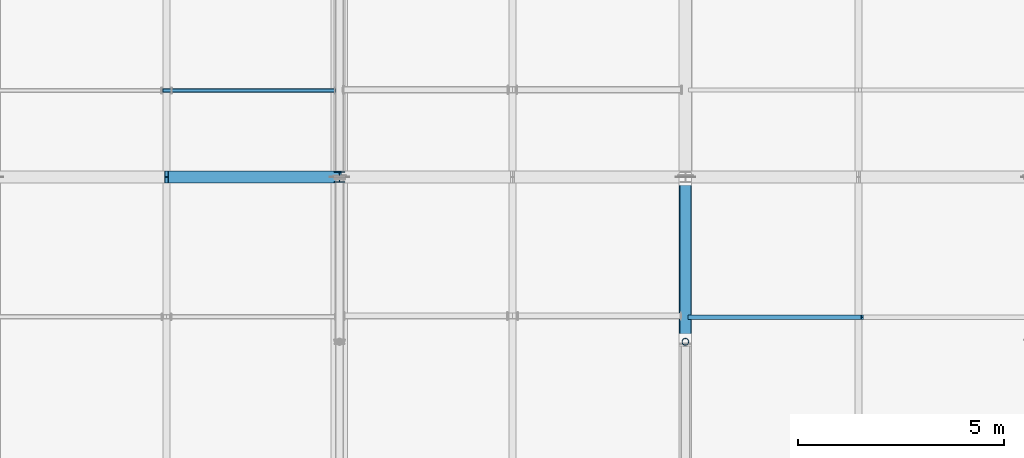
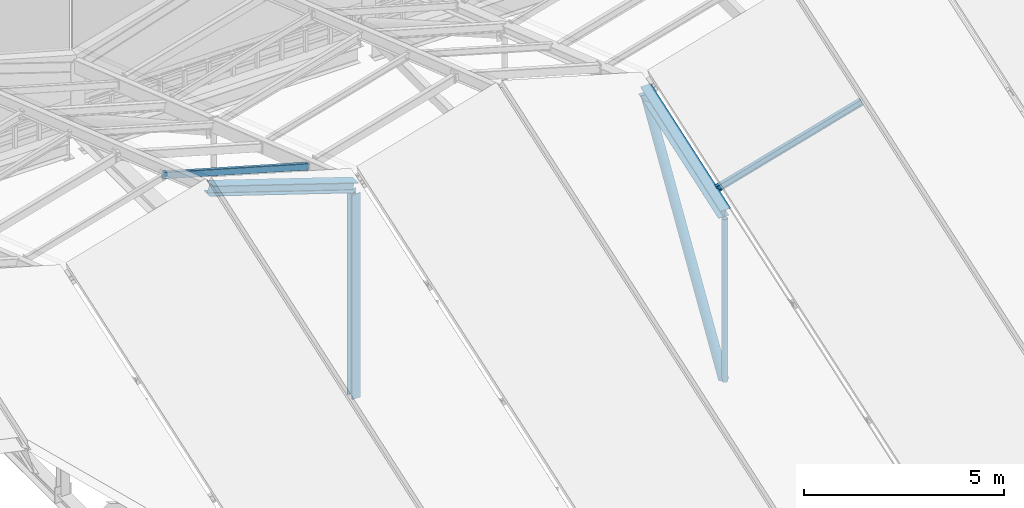
# One storey, part 17 of 77: 7 members.
"""IFC4 building model written with IfcOpenShell, lengths in metres."""

import ifcopenshell
import ifcopenshell.guid

model = None  # the IFC model being written
_history = None  # IfcOwnerHistory: only IFC2X3 demands one
_inside = {}  # id of a spatial element -> (the spatial element, [elements in it])
_under = {}  # id of a project, library or spatial element -> (it, [spatial elements below it])
_declared = {}  # id of a project -> (the project, [libraries it declares])
_typed = {}  # id of a type object -> (the type object, [elements of that type])
_made_of = {}  # id of a material, layer set ... -> (it, [elements and type objects made of it])


def new_model(schema):
    """Start an empty IFC model of exactly this schema.

    Asked for "IFC4X3", IfcOpenShell would pick the latest addendum, in which some entities
    have other attributes; the version numbers below select the first issue.
    IFC2X3 requires an IfcOwnerHistory on every rooted entity: one is made here for all.
    """
    global model, _history
    if schema == "IFC4X3":
        model = ifcopenshell.file(schema_version=(4, 3, 0, 0))
    else:
        model = ifcopenshell.file(schema=schema)
    _inside.clear()
    _under.clear()
    _declared.clear()
    _typed.clear()
    _made_of.clear()
    _history = None
    if model.schema == "IFC2X3":
        org = make("IfcOrganization", Name="unknown")
        user = make(
            "IfcPersonAndOrganization",
            ThePerson=make("IfcPerson", FamilyName="unknown"),
            TheOrganization=org,
        )
        app = make(
            "IfcApplication",
            ApplicationDeveloper=org,
            Version="unknown",
            ApplicationFullName="unknown",
            ApplicationIdentifier="unknown",
        )
        _history = make(
            "IfcOwnerHistory",
            OwningUser=user,
            OwningApplication=app,
            ChangeAction="ADDED",
            CreationDate=0,
        )
    return model


def make(cls, **values):
    """One entity of the class cls with the attributes given. An attribute that is None is left unset."""
    return model.create_entity(
        cls, **{name: value for name, value in values.items() if value is not None}
    )


def rooted(cls, **values):
    """An entity with a GlobalId (a new one), such as an element, a storey or a relation."""
    return make(cls, GlobalId=ifcopenshell.guid.new(), OwnerHistory=_history, **values)


def si_unit(unit_type, name, prefix=None):
    """IfcSIUnit, for example si_unit("LENGTHUNIT", "METRE", prefix="MILLI")."""
    return make("IfcSIUnit", UnitType=unit_type, Prefix=prefix, Name=name)


def assignment(units):
    """IfcUnitAssignment: the units of a project."""
    return None if units is None else make("IfcUnitAssignment", Units=units)


def point(xyz):
    """IfcCartesianPoint."""
    return None if xyz is None else make("IfcCartesianPoint", Coordinates=xyz)


def direction(xyz):
    """IfcDirection."""
    return None if xyz is None else make("IfcDirection", DirectionRatios=xyz)


def frame(location, z_axis=None, x_axis=None):
    """IfcAxis2Placement3D, a coordinate frame: its origin and axes. An axis left out is left unset."""
    return make(
        "IfcAxis2Placement3D",
        Location=point(location),
        Axis=direction(z_axis),
        RefDirection=direction(x_axis),
    )


def frame_2d(location, x_axis=None):
    """IfcAxis2Placement2D, a coordinate frame in the plane: its origin and x axis."""
    return make(
        "IfcAxis2Placement2D", Location=point(location), RefDirection=direction(x_axis)
    )


def origin():
    """The frame at (0, 0, 0) with its axes left unset."""
    return frame((0.0, 0.0, 0.0))


def origin_2d():
    """The frame at (0, 0) in the plane with its x axis left unset."""
    return frame_2d((0.0, 0.0))


def place(relative_to, where):
    """IfcLocalPlacement: puts the frame where relative to a parent placement (None: the world)."""
    return make(
        "IfcLocalPlacement", PlacementRelTo=relative_to, RelativePlacement=where
    )


def context(
    kind, dimensions, precision=None, world=None, true_north=None, identifier=None
):
    """IfcGeometricRepresentationContext, for example the 3D "Model" context."""
    return make(
        "IfcGeometricRepresentationContext",
        ContextIdentifier=identifier,
        ContextType=kind,
        CoordinateSpaceDimension=dimensions,
        Precision=precision,
        WorldCoordinateSystem=world,
        TrueNorth=true_north,
    )


def subcontext(parent, identifier, kind, view, scale=None):
    """IfcGeometricRepresentationSubContext, for example "Body" below "Model"."""
    return make(
        "IfcGeometricRepresentationSubContext",
        ContextIdentifier=identifier,
        ContextType=kind,
        ParentContext=parent,
        TargetScale=scale,
        TargetView=view,
    )


def project(units=None, contexts=None):
    """IfcProject with its units and contexts."""
    return rooted(
        "IfcProject",
        Name="project",
        RepresentationContexts=contexts,
        UnitsInContext=assignment(units),
    )


def spatial(cls, under=None, at=None, **own):
    """A site, building, storey or space (cls), placed at a placement, below another one or the project."""
    s = rooted(cls, ObjectPlacement=at, **own)
    if under is not None:
        _under.setdefault(under.id(), (under, []))[1].append(s)
    return s


def profile(cls, at=None, kind="AREA", **sizes):
    """A parametric profile (cls). Its sizes go by their IFC names, for example OverallWidth=200.0."""
    return make(cls, ProfileType=kind, Position=at, **sizes)


def hollow_rectangle(**sizes):
    """IfcRectangleHollowProfileDef."""
    return profile("IfcRectangleHollowProfileDef", **sizes)


def hollow_circle(**sizes):
    """IfcCircleHollowProfileDef."""
    return profile("IfcCircleHollowProfileDef", **sizes)


def i_section(**sizes):
    """IfcIShapeProfileDef."""
    return profile("IfcIShapeProfileDef", **sizes)


def extrude(swept, where, along, depth):
    """IfcExtrudedAreaSolid: the profile swept, set in the frame where, extruded along a direction by depth."""
    return make(
        "IfcExtrudedAreaSolid",
        SweptArea=swept,
        Position=where,
        ExtrudedDirection=direction(along),
        Depth=depth,
    )


def shape(context_of_items, identifier, shape_type, items):
    """IfcShapeRepresentation: the items that make up one representation, for example the "Body"."""
    return make(
        "IfcShapeRepresentation",
        ContextOfItems=context_of_items,
        RepresentationIdentifier=identifier,
        RepresentationType=shape_type,
        Items=items,
    )


def material(Name=None, Category=None):
    """IfcMaterial."""
    return make("IfcMaterial", Name=Name, Category=Category)


def material_profile(
    of_material, cross_section, Name=None, Category=None, Priority=None
):
    """IfcMaterialProfile: a cross section and its material."""
    return make(
        "IfcMaterialProfile",
        Name=Name,
        Material=of_material,
        Profile=cross_section,
        Priority=Priority,
        Category=Category,
    )


def profile_set(profiles, Name=None, composite=None):
    """IfcMaterialProfileSet."""
    return make(
        "IfcMaterialProfileSet",
        Name=Name,
        MaterialProfiles=profiles,
        CompositeProfile=composite,
    )


def made_of(thing, what):
    """Note that an element or type object is made of a material, layer set ...; save() writes the relation."""
    if what is not None:
        _made_of.setdefault(what.id(), (what, []))[1].append(thing)
    return thing


def type_object(cls, material=None, **own):
    """A type object (cls), such as IfcWallType, which elements share."""
    return made_of(rooted(cls, **own), material)


def element(
    cls,
    number,
    at=None,
    inside=None,
    cuts=None,
    type_object=None,
    material=None,
    context=None,
    identifier="Body",
    shape_type=None,
    held_by="IfcProductDefinitionShape",
    body=None,
    shapes=None,
    **own,
):
    """One element of the class cls, such as IfcWall. Its Tag is "e" and its number.

    at: its placement. inside: the storey or other place that contains it. cuts: it is an
    opening in that element (IfcRelVoidsElement). A single representation is given by context,
    identifier, shape_type and body (its items); several are given by shapes. held_by: the class
    of the entity that holds the representations. save() writes the other relations.
    """
    e = rooted(cls, Tag="e%d" % number, ObjectPlacement=at, **own)
    if body is not None:
        shapes = [shape(context, identifier, shape_type, body)]
    if shapes is not None:
        e.Representation = make(held_by, Representations=shapes)
    if inside is not None:
        _inside.setdefault(inside.id(), (inside, []))[1].append(e)
    if cuts is not None:
        rooted(
            "IfcRelVoidsElement", RelatingBuildingElement=cuts, RelatedOpeningElement=e
        )
    if type_object is not None:
        _typed.setdefault(type_object.id(), (type_object, []))[1].append(e)
    return made_of(e, material)


def aggregate(whole, parts):
    """IfcRelAggregates: a whole, such as a stair, and the parts it consists of."""
    return rooted("IfcRelAggregates", RelatingObject=whole, RelatedObjects=parts)


def save(model, path):
    """Write the relations noted so far, then the file.

    IfcRelAggregates (storeys below a building ...), IfcRelContainedInSpatialStructure (elements
    in a storey), IfcRelDefinesByType, IfcRelAssociatesMaterial and IfcRelDeclares: one each for
    every whole, place, type object, material and project.
    """
    for whole, parts in _under.values():
        aggregate(whole, parts)
    for where, things in _inside.values():
        rooted(
            "IfcRelContainedInSpatialStructure",
            RelatedElements=things,
            RelatingStructure=where,
        )
    for kind, things in _typed.values():
        rooted("IfcRelDefinesByType", RelatedObjects=things, RelatingType=kind)
    for what, things in _made_of.values():
        rooted("IfcRelAssociatesMaterial", RelatedObjects=things, RelatingMaterial=what)
    for by, libraries in _declared.values():
        rooted("IfcRelDeclares", RelatingContext=by, RelatedDefinitions=libraries)
    model.write(path)


model = new_model("IFC4")

# Units and contexts
model_context = context("Model", 3, precision=1e-05, world=origin(), true_north=direction((0.0, 1.0)))
body_context = subcontext(model_context, "Body", "Model", "MODEL_VIEW")
ifc_project = project(units=[si_unit("LENGTHUNIT", "METRE"), si_unit("AREAUNIT", "SQUARE_METRE"), si_unit("VOLUMEUNIT", "CUBIC_METRE"), si_unit("PLANEANGLEUNIT", "RADIAN"), si_unit("MASSUNIT", "GRAM", prefix="KILO")], contexts=[model_context])

# Site, building, storey
site_placement = place(None, origin())
site = spatial("IfcSite", under=ifc_project, at=site_placement, CompositionType="ELEMENT")
building_placement = place(site_placement, origin())
building = spatial("IfcBuilding", under=site, at=building_placement, Name="Larkvane Passage Sports Hall", CompositionType="ELEMENT")
storey_placement = place(building_placement, frame((0.0, 0.0, 22.199951171875)))
storey = spatial("IfcBuildingStorey", under=building, at=storey_placement, Name="RF", CompositionType="ELEMENT", Elevation=22.199951171875)

# Members
ifc_material_1 = material(Name="Steel S355JR", Category="steel")
ifc_material_profile_1 = material_profile(ifc_material_1, hollow_circle(Radius=0.1337890625, WallThickness=0.00927734375, at=origin_2d()), Name="CHS-267.4x9.3")
ifc_profile_set_1 = profile_set([ifc_material_profile_1], Name="Steel S355JR")
member_type_1 = type_object("IfcMemberType", Name="MBR-BR-CHS267", PredefinedType="BRACE", material=ifc_profile_set_1)
member_1_placement = place(storey_placement, frame((60.0, 57.64990234375, 0.18994140625), z_axis=(0.0, 0.523356941602, 0.852113555623), x_axis=(-1.0, 0.0, 0.0)))
element("IfcMember", 1, at=member_1_placement, inside=storey, type_object=member_type_1, Name="Arena roof truss 4 web brace 4", PredefinedType="BRACE", context=body_context, shape_type="SweptSolid", body=[
    extrude(hollow_circle(Radius=0.1337890625, WallThickness=0.00927734375, at=origin_2d()), origin(), (0.0, 0.0, 1.0), 7.4521484375),
])
ifc_material_2 = material(Name="Steel S460N", Category="steel")
ifc_material_profile_2 = material_profile(ifc_material_2, i_section(OverallWidth=0.300048828125, OverallDepth=0.300048828125, WebThickness=0.010009765625, FlangeThickness=0.014892578125, FilletRadius=0.012939453125, at=origin_2d()), Name="H-300x300x10x15")
ifc_profile_set_2 = profile_set([ifc_material_profile_2], Name="Steel S460N")
member_type_2 = type_object("IfcMemberType", Name="MBR-CH-H300", PredefinedType="CHORD", material=ifc_profile_set_2)
member_2_placement = place(storey_placement, frame((60.0, 57.60009765625, 5.29833984375), z_axis=(0.0, 0.945206714131, 0.326472460649), x_axis=(-1.0, 0.0, 0.0)))
element("IfcMember", 2, at=member_2_placement, inside=storey, type_object=member_type_2, Name="Arena roof truss 4 top chord 4", PredefinedType="CHORD", context=body_context, shape_type="SweptSolid", body=[
    extrude(i_section(OverallWidth=0.300048828125, OverallDepth=0.300048828125, WebThickness=0.010009765625, FlangeThickness=0.014892578125, FilletRadius=0.012939453125, at=origin_2d()), origin(), (0.0, 0.0, 1.0), 4.23193359375),
])
member_3_placement = place(storey_placement, frame((47.39990234375, 61.60009765625, 8.050048828125), z_axis=(0.950697258779, 0.0, -0.310120496179), x_axis=(0.0, 1.0, 0.0)))
element("IfcMember", 3, at=member_3_placement, inside=storey, type_object=member_type_2, Name="Arena roof fold tie 2-RIDGE-E", PredefinedType="CHORD", context=body_context, shape_type="SweptSolid", body=[
    extrude(i_section(OverallWidth=0.300048828125, OverallDepth=0.300048828125, WebThickness=0.010009765625, FlangeThickness=0.014892578125, FilletRadius=0.012939453125, at=origin_2d()), origin(), (0.0, 0.0, 1.0), 4.41796875),
])
ifc_material_profile_3 = material_profile(ifc_material_1, i_section(OverallWidth=0.10009765625, OverallDepth=0.199951171875, WebThickness=0.005615234375, FlangeThickness=0.008056640625, FilletRadius=0.008056640625, at=origin_2d()), Name="H-200x100x5.5x8")
ifc_profile_set_3 = profile_set([ifc_material_profile_3], Name="Steel S355JR")
member_type_3 = type_object("IfcMemberType", Name="MBR-PR-H200", PredefinedType="PURLIN", material=ifc_profile_set_3)
member_4_placement = place(storey_placement, frame((60.09521484375, 58.195068359375, 5.65087890625), z_axis=(0.961511291812, 0.0, 0.274765419436), x_axis=(0.0, 1.0, 0.0)))
element("IfcMember", 4, at=member_4_placement, inside=storey, type_object=member_type_3, Name="Folded roof purlin FRP-B4-SW-5", PredefinedType="PURLIN", context=body_context, shape_type="SweptSolid", body=[
    extrude(i_section(OverallWidth=0.10009765625, OverallDepth=0.199951171875, WebThickness=0.005615234375, FlangeThickness=0.008056640625, FilletRadius=0.008056640625, at=origin_2d()), origin(), (0.0, 0.0, 1.0), 4.3681640625),
])
ifc_material_profile_4 = material_profile(ifc_material_1, hollow_rectangle(XDim=0.10009765625, YDim=0.199951171875, WallThickness=0.008056640625, InnerFilletRadius=0.008056640625, OuterFilletRadius=0.01611328125, at=origin_2d()), Name="RHS-200x100x8")
ifc_profile_set_4 = profile_set([ifc_material_profile_4], Name="Steel S355JR")
member_type_4 = type_object("IfcMemberType", Name="MBR-PR-RHS200", PredefinedType="PURLIN", material=ifc_profile_set_4)
member_5_placement = place(storey_placement, frame((47.283935546875, 63.70068359375, 7.2255859375), z_axis=(0.96152605678, 0.0, -0.274713745804), x_axis=(0.0, 1.0, 0.0)))
element("IfcMember", 5, at=member_5_placement, inside=storey, type_object=member_type_4, Name="Folded roof purlin FRP-B2-NE-1", PredefinedType="PURLIN", context=body_context, shape_type="SweptSolid", body=[
    extrude(hollow_rectangle(XDim=0.10009765625, YDim=0.199951171875, WallThickness=0.008056640625, InnerFilletRadius=0.008056640625, OuterFilletRadius=0.01611328125, at=origin_2d()), origin(), (0.0, 0.0, 1.0), 4.367919921875),
])
ifc_material_profile_5 = material_profile(ifc_material_1, hollow_circle(Radius=0.08251953125, WallThickness=0.006103515625, at=origin_2d()), Name="CHS-165.2x6.0")
ifc_profile_set_5 = profile_set([ifc_material_profile_5], Name="Steel S355JR")
member_type_5 = type_object("IfcMemberType", Name="MBR-ST-CHS165", PredefinedType="STRUT", material=ifc_profile_set_5)
member_6_placement = place(storey_placement, frame((60.0, 57.60009765625, 0.18994140625), z_axis=(0.0, 0.0, 1.0), x_axis=(1.0, 0.0, 0.0)))
element("IfcMember", 6, at=member_6_placement, inside=storey, type_object=member_type_5, Name="Arena roof truss 4 vertical strut 3", PredefinedType="STRUT", context=body_context, shape_type="SweptSolid", body=[
    extrude(hollow_circle(Radius=0.08251953125, WallThickness=0.006103515625, at=origin_2d()), origin(), (0.0, 0.0, 1.0), 4.96826171875),
])
ifc_material_profile_6 = material_profile(ifc_material_1, i_section(OverallWidth=0.25, OverallDepth=0.25, WebThickness=0.009033203125, FlangeThickness=0.013916015625, FilletRadius=0.012939453125, at=origin_2d()), Name="H-250x250x9x14")
ifc_profile_set_6 = profile_set([ifc_material_profile_6], Name="Steel S355JR")
member_type_6 = type_object("IfcMemberType", Name="MBR-ST-H250", PredefinedType="STRUT", material=ifc_profile_set_6)
member_7_placement = place(storey_placement, frame((51.60009765625, 61.60009765625, 0.239990234375), z_axis=(0.0, 0.0, 1.0), x_axis=(1.0, 0.0, 0.0)))
element("IfcMember", 7, at=member_7_placement, inside=storey, type_object=member_type_6, Name="Arena roof truss 3 vertical strut 4", PredefinedType="STRUT", context=body_context, shape_type="SweptSolid", body=[
    extrude(i_section(OverallWidth=0.25, OverallDepth=0.25, WebThickness=0.009033203125, FlangeThickness=0.013916015625, FilletRadius=0.012939453125, at=origin_2d()), origin(), (0.0, 0.0, 1.0), 6.25),
])

save(model, "model.ifc")
